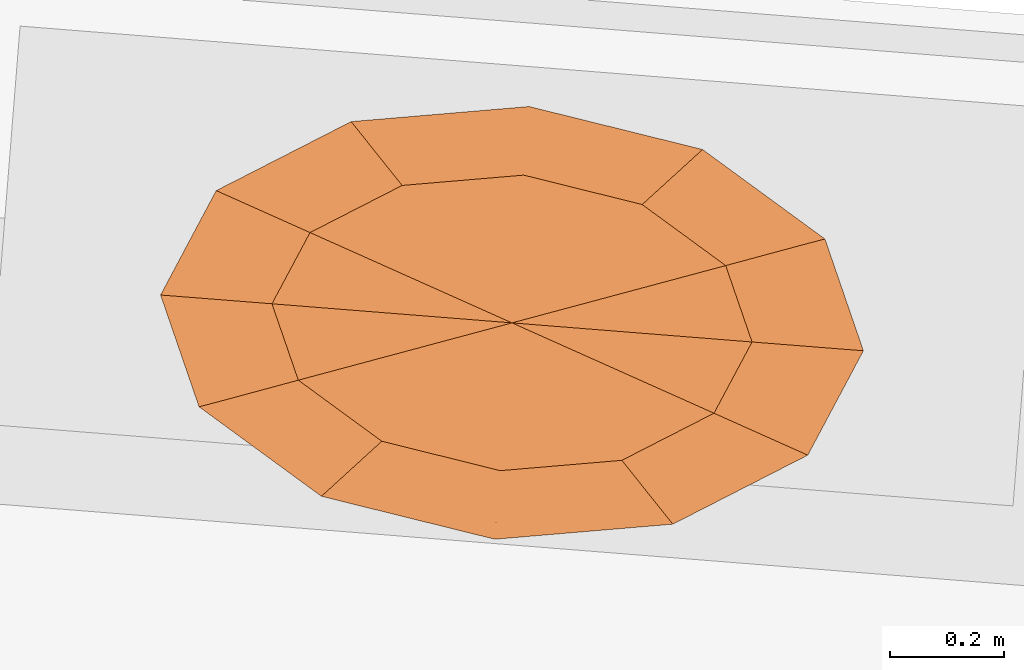
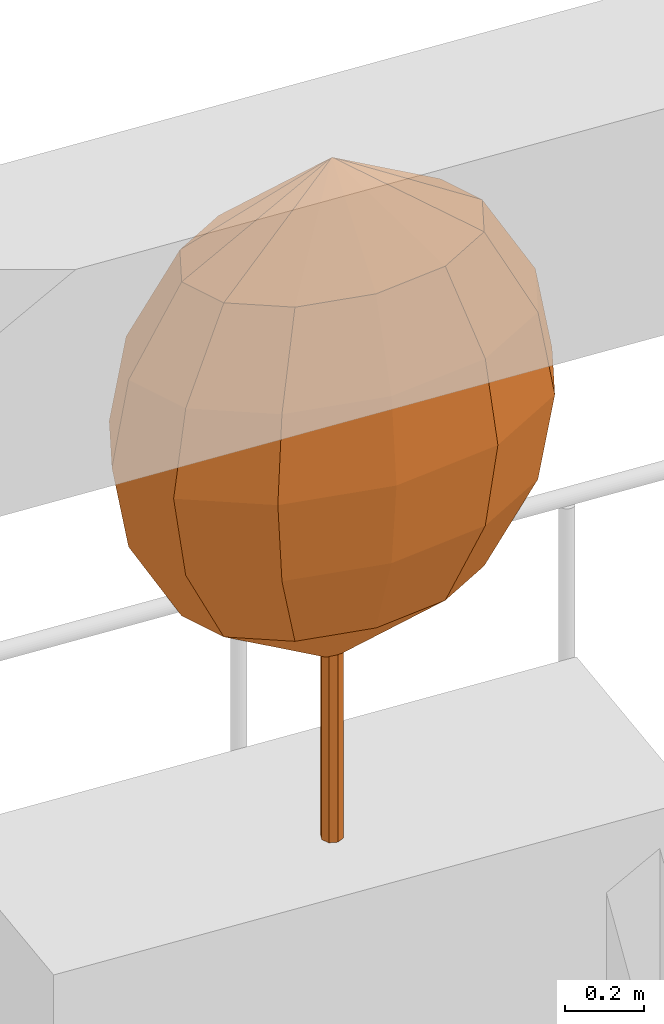
# One storey, part 12 of 12: 1 geographic element.
"""IFC4 building model written with IfcOpenShell, lengths in metres."""

from ifc_helpers import new_model, si_unit, direction, frame, origin, place, context, subcontext, project, spatial, faceted_brep, material, constituent, constituent_set, type_object, element, save


model = new_model("IFC4")

# Units and contexts
model_context = context("Model", 3, precision=1e-05, world=origin(), true_north=direction((0.0, 1.0)))
body_context = subcontext(model_context, "Body", "Model", "MODEL_VIEW")
ifc_project = project(units=[si_unit("LENGTHUNIT", "METRE"), si_unit("AREAUNIT", "SQUARE_METRE"), si_unit("VOLUMEUNIT", "CUBIC_METRE"), si_unit("PLANEANGLEUNIT", "RADIAN"), si_unit("MASSUNIT", "GRAM", prefix="KILO")], contexts=[model_context])

# Site, building, storey
site_placement = place(None, origin())
site = spatial("IfcSite", under=ifc_project, at=site_placement, CompositionType="ELEMENT")
building_placement = place(site_placement, origin())
building = spatial("IfcBuilding", under=site, at=building_placement, Name="Taillehof Tower", CompositionType="ELEMENT")
storey_placement = place(building_placement, frame((0.0, 0.0, 128.5)))
storey = spatial("IfcBuildingStorey", under=building, at=storey_placement, Name="L36", CompositionType="ELEMENT", Elevation=128.5)

# Geographic element
ifc_material_1 = material(Name="Tree bark", Category="timber")
ifc_constituent_1 = constituent(ifc_material_1, Name="Trunk", Category="timber")
ifc_material_2 = material(Name="Tree foliage")
ifc_constituent_2 = constituent(ifc_material_2, Name="Crown")
ifc_constituent_set = constituent_set(constituents=[ifc_constituent_1, ifc_constituent_2], Name="Tree TR1 Columnar hornbeam")
geographic_element_type = type_object("IfcGeographicElementType", Name="Tree TR1 Columnar hornbeam", PredefinedType="USERDEFINED", material=ifc_constituent_set)
geographic_element_placement = place(storey_placement, frame((3.072998046875, 23.007568359375, 0.75)))
element("IfcGeographicElement", 1, at=geographic_element_placement, inside=storey, type_object=geographic_element_type, Name="Tree TR1 Columnar hornbeam", ObjectType="TREE", PredefinedType="USERDEFINED", context=body_context, shape_type="Brep", body=[
    faceted_brep([(0.030029296875, 0.0, 0.0), (0.021240234375, 0.021240234375, 0.0), (0.021240234375, 0.021240234375, 1.092529296875), (0.030029296875, 0.0, 1.092529296875), (0.0, 0.030029296875, 0.0), (0.0, 0.030029296875, 1.092529296875), (-0.021240234375, 0.021240234375, 0.0), (-0.021240234375, 0.021240234375, 1.092529296875), (-0.030029296875, 0.0, 0.0), (-0.030029296875, 0.0, 1.092529296875), (-0.021240234375, -0.021240234375, 0.0), (-0.021240234375, -0.021240234375, 1.092529296875), (0.0, -0.030029296875, 0.0), (0.0, -0.030029296875, 1.092529296875), (0.021240234375, -0.021240234375, 0.0), (0.021240234375, -0.021240234375, 1.092529296875)], [[[0, 1, 2, 3]], [[1, 4, 5, 2]], [[4, 6, 7, 5]], [[6, 8, 9, 7]], [[8, 10, 11, 9]], [[10, 12, 13, 11]], [[12, 14, 15, 13]], [[14, 0, 3, 15]], [[14, 12, 10, 8, 6, 4, 1, 0]], [[3, 2, 5, 7, 9, 11, 13, 15]]]),
    faceted_brep([(0.0, 0.0, 0.550048828125), (-0.374267578125, -0.100341796875, 0.808349609375), (-0.42041015625, 0.033447265625, 0.808349609375), (-0.22802734375, -0.207275390625, 0.808349609375), (-0.0205078125, -0.2587890625, 0.808349609375), (0.1923828125, -0.24072265625, 0.808349609375), (0.353759765625, -0.158203125, 0.808349609375), (0.42041015625, -0.033447265625, 0.808349609375), (0.374267578125, 0.100341796875, 0.808349609375), (0.22802734375, 0.207275390625, 0.808349609375), (0.0205078125, 0.2587890625, 0.808349609375), (-0.1923828125, 0.24072265625, 0.808349609375), (-0.353759765625, 0.158203125, 0.808349609375), (-0.50634765625, -0.135986328125, 1.066650390625), (-0.56884765625, 0.045166015625, 1.066650390625), (-0.308349609375, -0.280517578125, 1.066650390625), (-0.02783203125, -0.35009765625, 1.066650390625), (0.26025390625, -0.32568359375, 1.066650390625), (0.478759765625, -0.214111328125, 1.066650390625), (0.56884765625, -0.045166015625, 1.066650390625), (0.50634765625, 0.135986328125, 1.066650390625), (0.308349609375, 0.280517578125, 1.066650390625), (0.02783203125, 0.35009765625, 1.066650390625), (-0.26025390625, 0.32568359375, 1.066650390625), (-0.478759765625, 0.214111328125, 1.066650390625), (-0.548095703125, -0.14697265625, 1.324951171875), (-0.615478515625, 0.048828125, 1.324951171875), (-0.333740234375, -0.3037109375, 1.324951171875), (-0.030029296875, -0.37890625, 1.324951171875), (0.28173828125, -0.3525390625, 1.324951171875), (0.51806640625, -0.231689453125, 1.324951171875), (0.615478515625, -0.048828125, 1.324951171875), (0.548095703125, 0.14697265625, 1.324951171875), (0.333740234375, 0.3037109375, 1.324951171875), (0.030029296875, 0.37890625, 1.324951171875), (-0.28173828125, 0.3525390625, 1.324951171875), (-0.51806640625, 0.231689453125, 1.324951171875), (-0.50634765625, -0.135986328125, 1.583251953125), (-0.56884765625, 0.045166015625, 1.583251953125), (-0.308349609375, -0.280517578125, 1.583251953125), (-0.02783203125, -0.35009765625, 1.583251953125), (0.26025390625, -0.32568359375, 1.583251953125), (0.478759765625, -0.214111328125, 1.583251953125), (0.56884765625, -0.045166015625, 1.583251953125), (0.50634765625, 0.135986328125, 1.583251953125), (0.308349609375, 0.280517578125, 1.583251953125), (0.02783203125, 0.35009765625, 1.583251953125), (-0.26025390625, 0.32568359375, 1.583251953125), (-0.478759765625, 0.214111328125, 1.583251953125), (-0.374267578125, -0.100341796875, 1.841552734375), (-0.42041015625, 0.033447265625, 1.841552734375), (-0.22802734375, -0.207275390625, 1.841552734375), (-0.0205078125, -0.2587890625, 1.841552734375), (0.1923828125, -0.24072265625, 1.841552734375), (0.353759765625, -0.158203125, 1.841552734375), (0.42041015625, -0.033447265625, 1.841552734375), (0.374267578125, 0.100341796875, 1.841552734375), (0.22802734375, 0.207275390625, 1.841552734375), (0.0205078125, 0.2587890625, 1.841552734375), (-0.1923828125, 0.24072265625, 1.841552734375), (-0.353759765625, 0.158203125, 1.841552734375), (0.0, 0.0, 2.10009765625)], [[[0, 1, 2]], [[0, 3, 1]], [[0, 4, 3]], [[0, 5, 4]], [[0, 6, 5]], [[0, 7, 6]], [[0, 8, 7]], [[0, 9, 8]], [[0, 10, 9]], [[0, 11, 10]], [[0, 12, 11]], [[0, 2, 12]], [[2, 1, 13, 14]], [[1, 3, 15, 13]], [[3, 4, 16, 15]], [[4, 5, 17, 16]], [[5, 6, 18, 17]], [[6, 7, 19, 18]], [[7, 8, 20, 19]], [[8, 9, 21, 20]], [[9, 10, 22, 21]], [[10, 11, 23, 22]], [[11, 12, 24, 23]], [[12, 2, 14, 24]], [[14, 13, 25, 26]], [[13, 15, 27, 25]], [[15, 16, 28, 27]], [[16, 17, 29, 28]], [[17, 18, 30, 29]], [[18, 19, 31, 30]], [[19, 20, 32, 31]], [[20, 21, 33, 32]], [[21, 22, 34, 33]], [[22, 23, 35, 34]], [[23, 24, 36, 35]], [[24, 14, 26, 36]], [[26, 25, 37, 38]], [[25, 27, 39, 37]], [[27, 28, 40, 39]], [[28, 29, 41, 40]], [[29, 30, 42, 41]], [[30, 31, 43, 42]], [[31, 32, 44, 43]], [[32, 33, 45, 44]], [[33, 34, 46, 45]], [[34, 35, 47, 46]], [[35, 36, 48, 47]], [[36, 26, 38, 48]], [[38, 37, 49, 50]], [[37, 39, 51, 49]], [[39, 40, 52, 51]], [[40, 41, 53, 52]], [[41, 42, 54, 53]], [[42, 43, 55, 54]], [[43, 44, 56, 55]], [[44, 45, 57, 56]], [[45, 46, 58, 57]], [[46, 47, 59, 58]], [[47, 48, 60, 59]], [[48, 38, 50, 60]], [[50, 49, 61]], [[49, 51, 61]], [[51, 52, 61]], [[52, 53, 61]], [[53, 54, 61]], [[54, 55, 61]], [[55, 56, 61]], [[56, 57, 61]], [[57, 58, 61]], [[58, 59, 61]], [[59, 60, 61]], [[60, 50, 61]]]),
])

save(model, "model.ifc")
